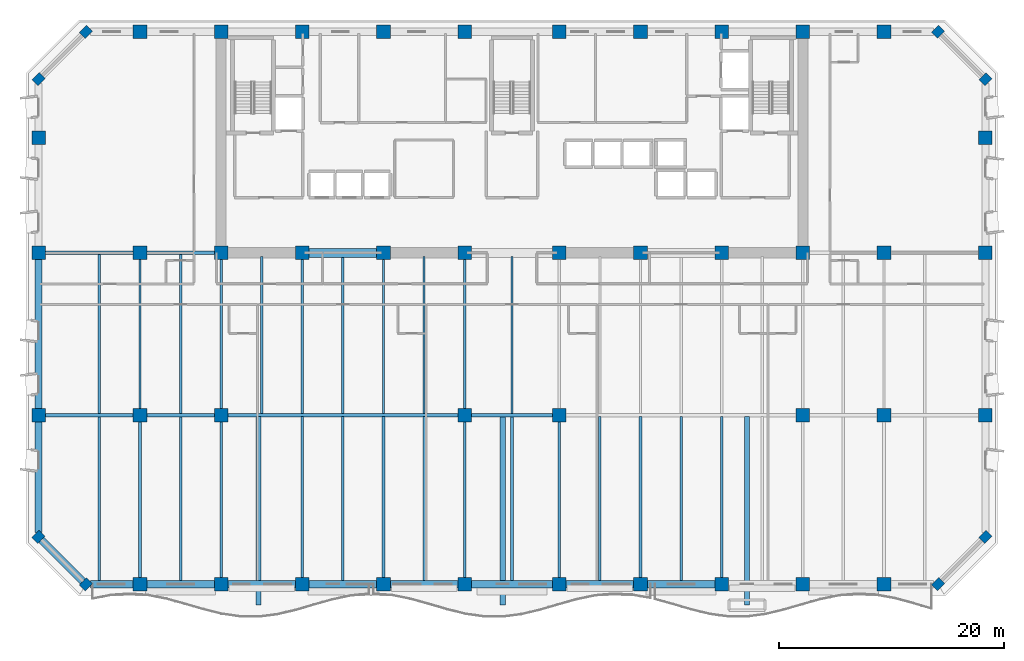
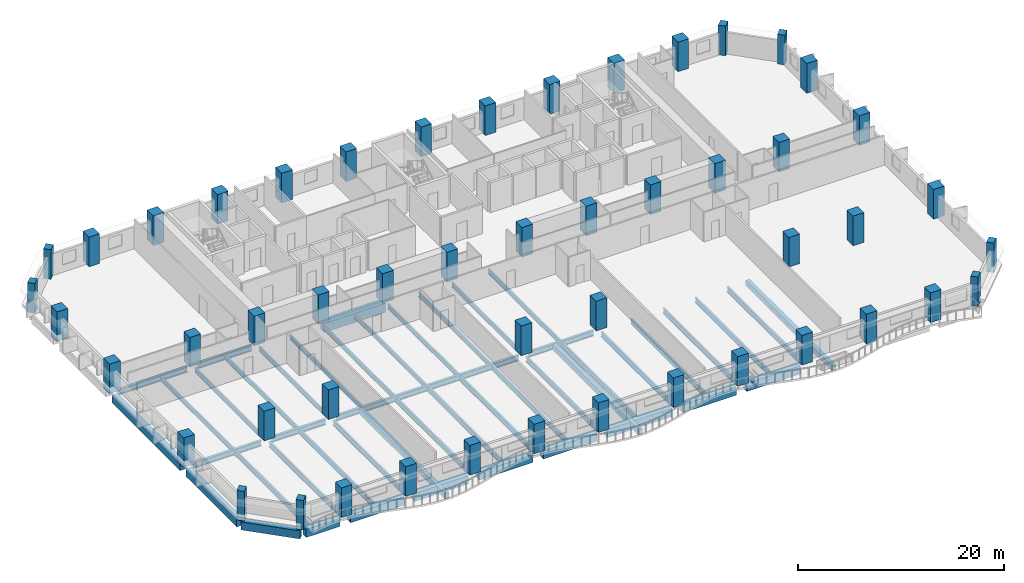
# One storey, part 1 of 14: 50 columns, 47 beams.
"""IFC4 building model written with IfcOpenShell, lengths in metres."""

from ifc_helpers import new_model, si_unit, direction, frame, origin, origin_2d, place, context, subcontext, project, spatial, rectangle, i_section, extrude, material, material_profile, profile_set, type_object, element, save


model = new_model("IFC4")

# Units and contexts
model_context = context("Model", 3, precision=1e-05, world=origin(), true_north=direction((0.0, 1.0)))
body_context = subcontext(model_context, "Body", "Model", "MODEL_VIEW")
ifc_project = project(units=[si_unit("LENGTHUNIT", "METRE"), si_unit("AREAUNIT", "SQUARE_METRE"), si_unit("VOLUMEUNIT", "CUBIC_METRE"), si_unit("PLANEANGLEUNIT", "RADIAN"), si_unit("MASSUNIT", "GRAM", prefix="KILO")], contexts=[model_context])

# Site, building, storey
site_placement = place(None, origin())
site = spatial("IfcSite", under=ifc_project, at=site_placement, CompositionType="ELEMENT")
building_placement = place(site_placement, origin())
building = spatial("IfcBuilding", under=site, at=building_placement, Name="Kaelvorn Grand Hotel", CompositionType="ELEMENT")
storey_placement = place(building_placement, frame((0.0, 0.0, 126.800048828125)))
storey = spatial("IfcBuildingStorey", under=building, at=storey_placement, Name="L30", CompositionType="ELEMENT", Elevation=126.800048828125)

# Columns
ifc_material_1 = material(Name="Concrete C60/75", Category="concrete")
ifc_material_profile_1 = material_profile(ifc_material_1, rectangle(XDim=0.89990234375, YDim=0.75, at=origin_2d()), Name="RC PILASTER 900x750")
ifc_profile_set_1 = profile_set([ifc_material_profile_1], Name="Concrete C60/75")
column_type_1 = type_object("IfcColumnType", Name="COL-PIL-900x750-C60", PredefinedType="PILASTER", material=ifc_profile_set_1)
for number, where, z_axis, x_axis, name in (
    (1, (4.199951171875, 0.0, 0.0), (0.0, 0.0, 1.0), (0.707106781187, 0.707106781187, 0.0), "L30 Structural Column CH-01"),
    (2, (79.800048828125, 0.0, 0.0), (0.0, 0.0, 1.0), (0.707106781187, 0.707106781187, 0.0), "L30 Structural Column CH-02"),
    (3, (84.0, 4.199951171875, 0.0), (0.0, 0.0, 1.0), (0.707106781187, 0.707106781187, 0.0), "L30 Structural Column CH-03"),
    (4, (84.0, 44.800048828125, 0.0), (0.0, 0.0, 1.0), (0.707106781187, 0.707106781187, 0.0), "L30 Structural Column CH-04"),
    (5, (79.800048828125, 49.0, 0.0), (0.0, 0.0, 1.0), (0.707106781187, 0.707106781187, 0.0), "L30 Structural Column CH-05"),
    (6, (4.199951171875, 49.0, 0.0), (0.0, 0.0, 1.0), (0.707106781187, 0.707106781187, 0.0), "L30 Structural Column CH-06"),
    (7, (0.0, 44.800048828125, 0.0), (0.0, 0.0, 1.0), (0.707106781187, 0.707106781187, 0.0), "L30 Structural Column CH-07"),
    (8, (0.0, 4.199951171875, 0.0), (0.0, 0.0, 1.0), (0.707106781187, 0.707106781187, 0.0), "L30 Structural Column CH-08"),
):
    element("IfcColumn", number, at=place(storey_placement, frame(where, z_axis=z_axis, x_axis=x_axis)), inside=storey, type_object=column_type_1, Name=name, PredefinedType="PILASTER", context=body_context, shape_type="SweptSolid", body=[
        extrude(rectangle(XDim=0.89990234375, YDim=0.75, at=origin_2d()), origin(), (0.0, 0.0, 1.0), 3.510009765625),
    ])
ifc_material_profile_2 = material_profile(ifc_material_1, rectangle(XDim=1.199951171875, YDim=1.199951171875, at=origin_2d()), Name="RC COL 1200x1200")
ifc_profile_set_2 = profile_set([ifc_material_profile_2], Name="Concrete C60/75")
column_type_2 = type_object("IfcColumnType", Name="COL-RC-1200-C60", PredefinedType="COLUMN", material=ifc_profile_set_2)
for number, where, z_axis, x_axis, name in (
    (9, (9.0, 0.0, 0.0), (0.0, 0.0, 1.0), (1.0, 0.0, 0.0), "L30 Structural Column S-01"),
    (10, (16.199951171875, 0.0, 0.0), (0.0, 0.0, 1.0), (1.0, 0.0, 0.0), "L30 Structural Column S-02"),
    (11, (23.39990234375, 0.0, 0.0), (0.0, 0.0, 1.0), (1.0, 0.0, 0.0), "L30 Structural Column S-03"),
    (12, (30.60009765625, 0.0, 0.0), (0.0, 0.0, 1.0), (1.0, 0.0, 0.0), "L30 Structural Column S-04"),
    (13, (37.800048828125, 0.0, 0.0), (0.0, 0.0, 1.0), (1.0, 0.0, 0.0), "L30 Structural Column S-05"),
    (14, (46.199951171875, 0.0, 0.0), (0.0, 0.0, 1.0), (1.0, 0.0, 0.0), "L30 Structural Column S-06"),
    (15, (53.39990234375, 0.0, 0.0), (0.0, 0.0, 1.0), (1.0, 0.0, 0.0), "L30 Structural Column S-07"),
    (16, (60.60009765625, 0.0, 0.0), (0.0, 0.0, 1.0), (1.0, 0.0, 0.0), "L30 Structural Column S-08"),
    (17, (67.800048828125, 0.0, 0.0), (0.0, 0.0, 1.0), (1.0, 0.0, 0.0), "L30 Structural Column S-09"),
    (18, (75.0, 0.0, 0.0), (0.0, 0.0, 1.0), (1.0, 0.0, 0.0), "L30 Structural Column S-10"),
    (19, (0.0, 15.0, 0.0), (0.0, 0.0, 1.0), (1.0, 0.0, 0.0), "L30 Structural Column W-01"),
    (20, (84.0, 15.0, 0.0), (0.0, 0.0, 1.0), (1.0, 0.0, 0.0), "L30 Structural Column E-01"),
    (21, (0.0, 29.39990234375, 0.0), (0.0, 0.0, 1.0), (1.0, 0.0, 0.0), "L30 Structural Column W-02"),
    (22, (84.0, 29.39990234375, 0.0), (0.0, 0.0, 1.0), (1.0, 0.0, 0.0), "L30 Structural Column E-02"),
    (23, (0.0, 39.60009765625, 0.0), (0.0, 0.0, 1.0), (1.0, 0.0, 0.0), "L30 Structural Column W-03"),
    (24, (84.0, 39.60009765625, 0.0), (0.0, 0.0, 1.0), (1.0, 0.0, 0.0), "L30 Structural Column E-03"),
    (25, (9.0, 15.0, 0.0), (0.0, 0.0, 1.0), (1.0, 0.0, 0.0), "L30 Structural Column M-01"),
    (26, (16.199951171875, 15.0, 0.0), (0.0, 0.0, 1.0), (1.0, 0.0, 0.0), "L30 Structural Column M-02"),
    (27, (37.800048828125, 15.0, 0.0), (0.0, 0.0, 1.0), (1.0, 0.0, 0.0), "L30 Structural Column M-03"),
    (28, (46.199951171875, 15.0, 0.0), (0.0, 0.0, 1.0), (1.0, 0.0, 0.0), "L30 Structural Column M-04"),
    (29, (67.800048828125, 15.0, 0.0), (0.0, 0.0, 1.0), (1.0, 0.0, 0.0), "L30 Structural Column M-05"),
    (30, (75.0, 15.0, 0.0), (0.0, 0.0, 1.0), (1.0, 0.0, 0.0), "L30 Structural Column M-06"),
    (31, (9.0, 29.39990234375, 0.0), (0.0, 0.0, 1.0), (1.0, 0.0, 0.0), "L30 Structural Column CR1-01"),
    (32, (9.0, 49.0, 0.0), (0.0, 0.0, 1.0), (1.0, 0.0, 0.0), "L30 Structural Column CR2-01"),
    (33, (16.199951171875, 29.39990234375, 0.0), (0.0, 0.0, 1.0), (1.0, 0.0, 0.0), "L30 Structural Column CR1-02"),
    (34, (16.199951171875, 49.0, 0.0), (0.0, 0.0, 1.0), (1.0, 0.0, 0.0), "L30 Structural Column CR2-02"),
    (35, (23.39990234375, 29.39990234375, 0.0), (0.0, 0.0, 1.0), (1.0, 0.0, 0.0), "L30 Structural Column CR1-03"),
    (36, (23.39990234375, 49.0, 0.0), (0.0, 0.0, 1.0), (1.0, 0.0, 0.0), "L30 Structural Column CR2-03"),
    (37, (30.60009765625, 29.39990234375, 0.0), (0.0, 0.0, 1.0), (1.0, 0.0, 0.0), "L30 Structural Column CR1-04"),
    (38, (30.60009765625, 49.0, 0.0), (0.0, 0.0, 1.0), (1.0, 0.0, 0.0), "L30 Structural Column CR2-04"),
    (39, (37.800048828125, 29.39990234375, 0.0), (0.0, 0.0, 1.0), (1.0, 0.0, 0.0), "L30 Structural Column CR1-05"),
    (40, (37.800048828125, 49.0, 0.0), (0.0, 0.0, 1.0), (1.0, 0.0, 0.0), "L30 Structural Column CR2-05"),
    (41, (46.199951171875, 29.39990234375, 0.0), (0.0, 0.0, 1.0), (1.0, 0.0, 0.0), "L30 Structural Column CR1-06"),
    (42, (46.199951171875, 49.0, 0.0), (0.0, 0.0, 1.0), (1.0, 0.0, 0.0), "L30 Structural Column CR2-06"),
    (43, (53.39990234375, 29.39990234375, 0.0), (0.0, 0.0, 1.0), (1.0, 0.0, 0.0), "L30 Structural Column CR1-07"),
    (44, (53.39990234375, 49.0, 0.0), (0.0, 0.0, 1.0), (1.0, 0.0, 0.0), "L30 Structural Column CR2-07"),
    (45, (60.60009765625, 29.39990234375, 0.0), (0.0, 0.0, 1.0), (1.0, 0.0, 0.0), "L30 Structural Column CR1-08"),
    (46, (60.60009765625, 49.0, 0.0), (0.0, 0.0, 1.0), (1.0, 0.0, 0.0), "L30 Structural Column CR2-08"),
    (47, (67.800048828125, 29.39990234375, 0.0), (0.0, 0.0, 1.0), (1.0, 0.0, 0.0), "L30 Structural Column CR1-09"),
    (48, (67.800048828125, 49.0, 0.0), (0.0, 0.0, 1.0), (1.0, 0.0, 0.0), "L30 Structural Column CR2-09"),
    (49, (75.0, 29.39990234375, 0.0), (0.0, 0.0, 1.0), (1.0, 0.0, 0.0), "L30 Structural Column CR1-10"),
    (50, (75.0, 49.0, 0.0), (0.0, 0.0, 1.0), (1.0, 0.0, 0.0), "L30 Structural Column CR2-10"),
):
    element("IfcColumn", number, at=place(storey_placement, frame(where, z_axis=z_axis, x_axis=x_axis)), inside=storey, type_object=column_type_2, Name=name, PredefinedType="COLUMN", context=body_context, shape_type="SweptSolid", body=[
        extrude(rectangle(XDim=1.199951171875, YDim=1.199951171875, at=origin_2d()), origin(), (0.0, 0.0, 1.0), 3.510009765625),
    ])

# Beams
ifc_material_2 = material(Name="Steel S355", Category="steel")
ifc_material_profile_3 = material_profile(ifc_material_2, i_section(OverallWidth=0.300048828125, OverallDepth=0.64990234375, WebThickness=0.01611328125, FlangeThickness=0.031005859375, FilletRadius=0.027099609375, at=origin_2d()), Name="HEB 650")
ifc_profile_set_3 = profile_set([ifc_material_profile_3], Name="Steel S355")
beam_type_1 = type_object("IfcBeamType", Name="BM-G-HEB650-S355", PredefinedType="BEAM", material=ifc_profile_set_3)
beam_1_placement = place(storey_placement, frame((0.5849609375, 15.0, -0.56494140625), z_axis=(1.0, 0.0, 0.0), x_axis=(0.0, 1.0, 0.0)))
element("IfcBeam", 51, at=beam_1_placement, inside=storey, type_object=beam_type_1, Name="L30 Primary Spine Steel Girder G-15 01", PredefinedType="BEAM", context=body_context, shape_type="SweptSolid", body=[
    extrude(i_section(OverallWidth=0.300048828125, OverallDepth=0.64990234375, WebThickness=0.01611328125, FlangeThickness=0.031005859375, FilletRadius=0.027099609375, at=origin_2d()), origin(), (0.0, 0.0, 1.0), 7.830078125),
])
beam_2_placement = place(storey_placement, frame((9.5849609375, 15.0, -0.56494140625), z_axis=(1.0, 0.0, 0.0), x_axis=(0.0, 1.0, 0.0)))
element("IfcBeam", 52, at=beam_2_placement, inside=storey, type_object=beam_type_1, Name="L30 Primary Spine Steel Girder G-15 02", PredefinedType="BEAM", context=body_context, shape_type="SweptSolid", body=[
    extrude(i_section(OverallWidth=0.300048828125, OverallDepth=0.64990234375, WebThickness=0.01611328125, FlangeThickness=0.031005859375, FilletRadius=0.027099609375, at=origin_2d()), origin(), (0.0, 0.0, 1.0), 6.030029296875),
])
beam_3_placement = place(storey_placement, frame((16.784912109375, 15.0, -0.56494140625), z_axis=(1.0, 0.0, 0.0), x_axis=(0.0, 1.0, 0.0)))
element("IfcBeam", 53, at=beam_3_placement, inside=storey, type_object=beam_type_1, Name="L30 Primary Spine Steel Girder G-15 03", PredefinedType="BEAM", context=body_context, shape_type="SweptSolid", body=[
    extrude(i_section(OverallWidth=0.300048828125, OverallDepth=0.64990234375, WebThickness=0.01611328125, FlangeThickness=0.031005859375, FilletRadius=0.027099609375, at=origin_2d()), origin(), (0.0, 0.0, 1.0), 20.43017578125),
])
beam_4_placement = place(storey_placement, frame((38.385009765625, 15.0, -0.56494140625), z_axis=(1.0, 0.0, 0.0), x_axis=(0.0, 1.0, 0.0)))
element("IfcBeam", 54, at=beam_4_placement, inside=storey, type_object=beam_type_1, Name="L30 Primary Spine Steel Girder G-15 04", PredefinedType="BEAM", context=body_context, shape_type="SweptSolid", body=[
    extrude(i_section(OverallWidth=0.300048828125, OverallDepth=0.64990234375, WebThickness=0.01611328125, FlangeThickness=0.031005859375, FilletRadius=0.027099609375, at=origin_2d()), origin(), (0.0, 0.0, 1.0), 7.22998046875),
])
beam_5_placement = place(storey_placement, frame((0.5849609375, 29.39990234375, -0.56494140625), z_axis=(1.0, 0.0, 0.0), x_axis=(0.0, 1.0, 0.0)))
element("IfcBeam", 55, at=beam_5_placement, inside=storey, type_object=beam_type_1, Name="L30 West Core Wing Steel Girder G-29W 01", PredefinedType="BEAM", context=body_context, shape_type="SweptSolid", body=[
    extrude(i_section(OverallWidth=0.300048828125, OverallDepth=0.64990234375, WebThickness=0.01611328125, FlangeThickness=0.031005859375, FilletRadius=0.027099609375, at=origin_2d()), origin(), (0.0, 0.0, 1.0), 7.830078125),
])
beam_6_placement = place(storey_placement, frame((9.5849609375, 29.39990234375, -0.56494140625), z_axis=(1.0, 0.0, 0.0), x_axis=(0.0, 1.0, 0.0)))
element("IfcBeam", 56, at=beam_6_placement, inside=storey, type_object=beam_type_1, Name="L30 West Core Wing Steel Girder G-29W 02", PredefinedType="BEAM", context=body_context, shape_type="SweptSolid", body=[
    extrude(i_section(OverallWidth=0.300048828125, OverallDepth=0.64990234375, WebThickness=0.01611328125, FlangeThickness=0.031005859375, FilletRadius=0.027099609375, at=origin_2d()), origin(), (0.0, 0.0, 1.0), 6.030029296875),
])
ifc_material_profile_4 = material_profile(ifc_material_2, i_section(OverallWidth=0.209228515625, OverallDepth=0.533203125, WebThickness=0.010009765625, FlangeThickness=0.015625, FilletRadius=0.0126953125, at=origin_2d()), Name="UB 533x210x92")
ifc_profile_set_4 = profile_set([ifc_material_profile_4], Name="Steel S355")
beam_type_2 = type_object("IfcBeamType", Name="BM-J-UB533-S355", PredefinedType="JOIST", material=ifc_profile_set_4)
beam_7_placement = place(storey_placement, frame((5.39990234375, 15.135009765625, -0.506591796875), z_axis=(0.0, 1.0, 0.0), x_axis=(-1.0, 0.0, 0.0)))
element("IfcBeam", 57, at=beam_7_placement, inside=storey, type_object=beam_type_2, Name="L30 Composite Floor Joist JM-02", PredefinedType="JOIST", context=body_context, shape_type="SweptSolid", body=[
    extrude(i_section(OverallWidth=0.209228515625, OverallDepth=0.533203125, WebThickness=0.010009765625, FlangeThickness=0.015625, FilletRadius=0.0126953125, at=origin_2d()), origin(), (0.0, 0.0, 1.0), 14.1298828125),
])
beam_8_placement = place(storey_placement, frame((9.0, 15.5849609375, -0.506591796875), z_axis=(0.0, 1.0, 0.0), x_axis=(-1.0, 0.0, 0.0)))
element("IfcBeam", 58, at=beam_8_placement, inside=storey, type_object=beam_type_2, Name="L30 Composite Floor Joist JM-03", PredefinedType="JOIST", context=body_context, shape_type="SweptSolid", body=[
    extrude(i_section(OverallWidth=0.209228515625, OverallDepth=0.533203125, WebThickness=0.010009765625, FlangeThickness=0.015625, FilletRadius=0.0126953125, at=origin_2d()), origin(), (0.0, 0.0, 1.0), 13.22998046875),
])
beam_9_placement = place(storey_placement, frame((12.60009765625, 15.135009765625, -0.506591796875), z_axis=(0.0, 1.0, 0.0), x_axis=(-1.0, 0.0, 0.0)))
element("IfcBeam", 59, at=beam_9_placement, inside=storey, type_object=beam_type_2, Name="L30 Composite Floor Joist JM-04", PredefinedType="JOIST", context=body_context, shape_type="SweptSolid", body=[
    extrude(i_section(OverallWidth=0.209228515625, OverallDepth=0.533203125, WebThickness=0.010009765625, FlangeThickness=0.015625, FilletRadius=0.0126953125, at=origin_2d()), origin(), (0.0, 0.0, 1.0), 14.1298828125),
])
beam_10_placement = place(storey_placement, frame((16.199951171875, 15.5849609375, -0.506591796875), z_axis=(0.0, 1.0, 0.0), x_axis=(-1.0, 0.0, 0.0)))
element("IfcBeam", 60, at=beam_10_placement, inside=storey, type_object=beam_type_2, Name="L30 Composite Floor Joist JM-05", PredefinedType="JOIST", context=body_context, shape_type="SweptSolid", body=[
    extrude(i_section(OverallWidth=0.209228515625, OverallDepth=0.533203125, WebThickness=0.010009765625, FlangeThickness=0.015625, FilletRadius=0.0126953125, at=origin_2d()), origin(), (0.0, 0.0, 1.0), 13.22998046875),
])
beam_11_placement = place(storey_placement, frame((19.800048828125, 15.135009765625, -0.506591796875), z_axis=(0.0, 1.0, 0.0), x_axis=(-1.0, 0.0, 0.0)))
element("IfcBeam", 61, at=beam_11_placement, inside=storey, type_object=beam_type_2, Name="L30 Composite Floor Joist JM-06", PredefinedType="JOIST", context=body_context, shape_type="SweptSolid", body=[
    extrude(i_section(OverallWidth=0.209228515625, OverallDepth=0.533203125, WebThickness=0.010009765625, FlangeThickness=0.015625, FilletRadius=0.0126953125, at=origin_2d()), origin(), (0.0, 0.0, 1.0), 13.925048828125),
])
beam_12_placement = place(storey_placement, frame((23.39990234375, 15.135009765625, -0.506591796875), z_axis=(0.0, 1.0, 0.0), x_axis=(-1.0, 0.0, 0.0)))
element("IfcBeam", 62, at=beam_12_placement, inside=storey, type_object=beam_type_2, Name="L30 Composite Floor Joist JM-07", PredefinedType="JOIST", context=body_context, shape_type="SweptSolid", body=[
    extrude(i_section(OverallWidth=0.209228515625, OverallDepth=0.533203125, WebThickness=0.010009765625, FlangeThickness=0.015625, FilletRadius=0.0126953125, at=origin_2d()), origin(), (0.0, 0.0, 1.0), 13.679931640625),
])
beam_13_placement = place(storey_placement, frame((27.0, 15.135009765625, -0.506591796875), z_axis=(0.0, 1.0, 0.0), x_axis=(-1.0, 0.0, 0.0)))
element("IfcBeam", 63, at=beam_13_placement, inside=storey, type_object=beam_type_2, Name="L30 Composite Floor Joist JM-08", PredefinedType="JOIST", context=body_context, shape_type="SweptSolid", body=[
    extrude(i_section(OverallWidth=0.209228515625, OverallDepth=0.533203125, WebThickness=0.010009765625, FlangeThickness=0.015625, FilletRadius=0.0126953125, at=origin_2d()), origin(), (0.0, 0.0, 1.0), 13.925048828125),
])
beam_14_placement = place(storey_placement, frame((30.60009765625, 15.135009765625, -0.506591796875), z_axis=(0.0, 1.0, 0.0), x_axis=(-1.0, 0.0, 0.0)))
element("IfcBeam", 64, at=beam_14_placement, inside=storey, type_object=beam_type_2, Name="L30 Composite Floor Joist JM-09", PredefinedType="JOIST", context=body_context, shape_type="SweptSolid", body=[
    extrude(i_section(OverallWidth=0.209228515625, OverallDepth=0.533203125, WebThickness=0.010009765625, FlangeThickness=0.015625, FilletRadius=0.0126953125, at=origin_2d()), origin(), (0.0, 0.0, 1.0), 13.679931640625),
])
beam_15_placement = place(storey_placement, frame((34.199951171875, 15.135009765625, -0.506591796875), z_axis=(0.0, 1.0, 0.0), x_axis=(-1.0, 0.0, 0.0)))
element("IfcBeam", 65, at=beam_15_placement, inside=storey, type_object=beam_type_2, Name="L30 Composite Floor Joist JM-10", PredefinedType="JOIST", context=body_context, shape_type="SweptSolid", body=[
    extrude(i_section(OverallWidth=0.209228515625, OverallDepth=0.533203125, WebThickness=0.010009765625, FlangeThickness=0.015625, FilletRadius=0.0126953125, at=origin_2d()), origin(), (0.0, 0.0, 1.0), 13.925048828125),
])
beam_16_placement = place(storey_placement, frame((37.800048828125, 15.5849609375, -0.506591796875), z_axis=(0.0, 1.0, 0.0), x_axis=(-1.0, 0.0, 0.0)))
element("IfcBeam", 66, at=beam_16_placement, inside=storey, type_object=beam_type_2, Name="L30 Composite Floor Joist JM-11", PredefinedType="JOIST", context=body_context, shape_type="SweptSolid", body=[
    extrude(i_section(OverallWidth=0.209228515625, OverallDepth=0.533203125, WebThickness=0.010009765625, FlangeThickness=0.015625, FilletRadius=0.0126953125, at=origin_2d()), origin(), (0.0, 0.0, 1.0), 13.22998046875),
])
beam_17_placement = place(storey_placement, frame((42.0, 15.135009765625, -0.506591796875), z_axis=(0.0, 1.0, 0.0), x_axis=(-1.0, 0.0, 0.0)))
element("IfcBeam", 67, at=beam_17_placement, inside=storey, type_object=beam_type_2, Name="L30 Composite Floor Joist JM-12", PredefinedType="JOIST", context=body_context, shape_type="SweptSolid", body=[
    extrude(i_section(OverallWidth=0.209228515625, OverallDepth=0.533203125, WebThickness=0.010009765625, FlangeThickness=0.015625, FilletRadius=0.0126953125, at=origin_2d()), origin(), (0.0, 0.0, 1.0), 13.925048828125),
])
ifc_material_profile_5 = material_profile(ifc_material_2, i_section(OverallWidth=0.22900390625, OverallDepth=0.6123046875, WebThickness=0.011962890625, FlangeThickness=0.01953125, FilletRadius=0.0126953125, at=origin_2d()), Name="UB 610x229x125")
ifc_profile_set_5 = profile_set([ifc_material_profile_5], Name="Steel S355")
beam_type_3 = type_object("IfcBeamType", Name="BM-J-UB610-S355", PredefinedType="JOIST", material=ifc_profile_set_5)
beam_18_placement = place(storey_placement, frame((5.39990234375, 0.31005859375, -0.546142578125), z_axis=(0.0, 1.0, 0.0), x_axis=(-1.0, 0.0, 0.0)))
element("IfcBeam", 68, at=beam_18_placement, inside=storey, type_object=beam_type_3, Name="L30 Composite Floor Joist JS-02", PredefinedType="JOIST", context=body_context, shape_type="SweptSolid", body=[
    extrude(i_section(OverallWidth=0.22900390625, OverallDepth=0.6123046875, WebThickness=0.011962890625, FlangeThickness=0.01953125, FilletRadius=0.0126953125, at=origin_2d()), origin(), (0.0, 0.0, 1.0), 14.554931640625),
])
beam_19_placement = place(storey_placement, frame((9.0, 0.5849609375, -0.546142578125), z_axis=(0.0, 1.0, 0.0), x_axis=(-1.0, 0.0, 0.0)))
element("IfcBeam", 69, at=beam_19_placement, inside=storey, type_object=beam_type_3, Name="L30 Composite Floor Joist JS-03", PredefinedType="JOIST", context=body_context, shape_type="SweptSolid", body=[
    extrude(i_section(OverallWidth=0.22900390625, OverallDepth=0.6123046875, WebThickness=0.011962890625, FlangeThickness=0.01953125, FilletRadius=0.0126953125, at=origin_2d()), origin(), (0.0, 0.0, 1.0), 13.830078125),
])
beam_20_placement = place(storey_placement, frame((12.60009765625, 0.31005859375, -0.546142578125), z_axis=(0.0, 1.0, 0.0), x_axis=(-1.0, 0.0, 0.0)))
element("IfcBeam", 70, at=beam_20_placement, inside=storey, type_object=beam_type_3, Name="L30 Composite Floor Joist JS-04", PredefinedType="JOIST", context=body_context, shape_type="SweptSolid", body=[
    extrude(i_section(OverallWidth=0.22900390625, OverallDepth=0.6123046875, WebThickness=0.011962890625, FlangeThickness=0.01953125, FilletRadius=0.0126953125, at=origin_2d()), origin(), (0.0, 0.0, 1.0), 14.554931640625),
])
beam_21_placement = place(storey_placement, frame((16.199951171875, 0.5849609375, -0.546142578125), z_axis=(0.0, 1.0, 0.0), x_axis=(-1.0, 0.0, 0.0)))
element("IfcBeam", 71, at=beam_21_placement, inside=storey, type_object=beam_type_3, Name="L30 Composite Floor Joist JS-05", PredefinedType="JOIST", context=body_context, shape_type="SweptSolid", body=[
    extrude(i_section(OverallWidth=0.22900390625, OverallDepth=0.6123046875, WebThickness=0.011962890625, FlangeThickness=0.01953125, FilletRadius=0.0126953125, at=origin_2d()), origin(), (0.0, 0.0, 1.0), 13.830078125),
])
beam_22_placement = place(storey_placement, frame((23.39990234375, 0.5849609375, -0.546142578125), z_axis=(0.0, 1.0, 0.0), x_axis=(-1.0, 0.0, 0.0)))
element("IfcBeam", 72, at=beam_22_placement, inside=storey, type_object=beam_type_3, Name="L30 Composite Floor Joist JS-07", PredefinedType="JOIST", context=body_context, shape_type="SweptSolid", body=[
    extrude(i_section(OverallWidth=0.22900390625, OverallDepth=0.6123046875, WebThickness=0.011962890625, FlangeThickness=0.01953125, FilletRadius=0.0126953125, at=origin_2d()), origin(), (0.0, 0.0, 1.0), 14.280029296875),
])
beam_23_placement = place(storey_placement, frame((27.0, 0.31005859375, -0.546142578125), z_axis=(0.0, 1.0, 0.0), x_axis=(-1.0, 0.0, 0.0)))
element("IfcBeam", 73, at=beam_23_placement, inside=storey, type_object=beam_type_3, Name="L30 Composite Floor Joist JS-08", PredefinedType="JOIST", context=body_context, shape_type="SweptSolid", body=[
    extrude(i_section(OverallWidth=0.22900390625, OverallDepth=0.6123046875, WebThickness=0.011962890625, FlangeThickness=0.01953125, FilletRadius=0.0126953125, at=origin_2d()), origin(), (0.0, 0.0, 1.0), 14.554931640625),
])
beam_24_placement = place(storey_placement, frame((30.60009765625, 0.5849609375, -0.546142578125), z_axis=(0.0, 1.0, 0.0), x_axis=(-1.0, 0.0, 0.0)))
element("IfcBeam", 74, at=beam_24_placement, inside=storey, type_object=beam_type_3, Name="L30 Composite Floor Joist JS-09", PredefinedType="JOIST", context=body_context, shape_type="SweptSolid", body=[
    extrude(i_section(OverallWidth=0.22900390625, OverallDepth=0.6123046875, WebThickness=0.011962890625, FlangeThickness=0.01953125, FilletRadius=0.0126953125, at=origin_2d()), origin(), (0.0, 0.0, 1.0), 14.280029296875),
])
beam_25_placement = place(storey_placement, frame((34.199951171875, 0.31005859375, -0.546142578125), z_axis=(0.0, 1.0, 0.0), x_axis=(-1.0, 0.0, 0.0)))
element("IfcBeam", 75, at=beam_25_placement, inside=storey, type_object=beam_type_3, Name="L30 Composite Floor Joist JS-10", PredefinedType="JOIST", context=body_context, shape_type="SweptSolid", body=[
    extrude(i_section(OverallWidth=0.22900390625, OverallDepth=0.6123046875, WebThickness=0.011962890625, FlangeThickness=0.01953125, FilletRadius=0.0126953125, at=origin_2d()), origin(), (0.0, 0.0, 1.0), 14.554931640625),
])
beam_26_placement = place(storey_placement, frame((37.800048828125, 0.5849609375, -0.546142578125), z_axis=(0.0, 1.0, 0.0), x_axis=(-1.0, 0.0, 0.0)))
element("IfcBeam", 76, at=beam_26_placement, inside=storey, type_object=beam_type_3, Name="L30 Composite Floor Joist JS-11", PredefinedType="JOIST", context=body_context, shape_type="SweptSolid", body=[
    extrude(i_section(OverallWidth=0.22900390625, OverallDepth=0.6123046875, WebThickness=0.011962890625, FlangeThickness=0.01953125, FilletRadius=0.0126953125, at=origin_2d()), origin(), (0.0, 0.0, 1.0), 13.830078125),
])
beam_27_placement = place(storey_placement, frame((42.0, 0.31005859375, -0.546142578125), z_axis=(0.0, 1.0, 0.0), x_axis=(-1.0, 0.0, 0.0)))
element("IfcBeam", 77, at=beam_27_placement, inside=storey, type_object=beam_type_3, Name="L30 Composite Floor Joist JS-12", PredefinedType="JOIST", context=body_context, shape_type="SweptSolid", body=[
    extrude(i_section(OverallWidth=0.22900390625, OverallDepth=0.6123046875, WebThickness=0.011962890625, FlangeThickness=0.01953125, FilletRadius=0.0126953125, at=origin_2d()), origin(), (0.0, 0.0, 1.0), 14.554931640625),
])
beam_28_placement = place(storey_placement, frame((46.199951171875, 0.5849609375, -0.546142578125), z_axis=(0.0, 1.0, 0.0), x_axis=(-1.0, 0.0, 0.0)))
element("IfcBeam", 78, at=beam_28_placement, inside=storey, type_object=beam_type_3, Name="L30 Composite Floor Joist JS-13", PredefinedType="JOIST", context=body_context, shape_type="SweptSolid", body=[
    extrude(i_section(OverallWidth=0.22900390625, OverallDepth=0.6123046875, WebThickness=0.011962890625, FlangeThickness=0.01953125, FilletRadius=0.0126953125, at=origin_2d()), origin(), (0.0, 0.0, 1.0), 13.830078125),
])
beam_29_placement = place(storey_placement, frame((49.800048828125, 0.31005859375, -0.546142578125), z_axis=(0.0, 1.0, 0.0), x_axis=(-1.0, 0.0, 0.0)))
element("IfcBeam", 79, at=beam_29_placement, inside=storey, type_object=beam_type_3, Name="L30 Composite Floor Joist JS-14", PredefinedType="JOIST", context=body_context, shape_type="SweptSolid", body=[
    extrude(i_section(OverallWidth=0.22900390625, OverallDepth=0.6123046875, WebThickness=0.011962890625, FlangeThickness=0.01953125, FilletRadius=0.0126953125, at=origin_2d()), origin(), (0.0, 0.0, 1.0), 14.554931640625),
])
beam_30_placement = place(storey_placement, frame((53.39990234375, 0.5849609375, -0.546142578125), z_axis=(0.0, 1.0, 0.0), x_axis=(-1.0, 0.0, 0.0)))
element("IfcBeam", 80, at=beam_30_placement, inside=storey, type_object=beam_type_3, Name="L30 Composite Floor Joist JS-15", PredefinedType="JOIST", context=body_context, shape_type="SweptSolid", body=[
    extrude(i_section(OverallWidth=0.22900390625, OverallDepth=0.6123046875, WebThickness=0.011962890625, FlangeThickness=0.01953125, FilletRadius=0.0126953125, at=origin_2d()), origin(), (0.0, 0.0, 1.0), 14.280029296875),
])
beam_31_placement = place(storey_placement, frame((57.0, 0.31005859375, -0.546142578125), z_axis=(0.0, 1.0, 0.0), x_axis=(-1.0, 0.0, 0.0)))
element("IfcBeam", 81, at=beam_31_placement, inside=storey, type_object=beam_type_3, Name="L30 Composite Floor Joist JS-16", PredefinedType="JOIST", context=body_context, shape_type="SweptSolid", body=[
    extrude(i_section(OverallWidth=0.22900390625, OverallDepth=0.6123046875, WebThickness=0.011962890625, FlangeThickness=0.01953125, FilletRadius=0.0126953125, at=origin_2d()), origin(), (0.0, 0.0, 1.0), 14.554931640625),
])
beam_32_placement = place(storey_placement, frame((60.60009765625, 0.5849609375, -0.546142578125), z_axis=(0.0, 1.0, 0.0), x_axis=(-1.0, 0.0, 0.0)))
element("IfcBeam", 82, at=beam_32_placement, inside=storey, type_object=beam_type_3, Name="L30 Composite Floor Joist JS-17", PredefinedType="JOIST", context=body_context, shape_type="SweptSolid", body=[
    extrude(i_section(OverallWidth=0.22900390625, OverallDepth=0.6123046875, WebThickness=0.011962890625, FlangeThickness=0.01953125, FilletRadius=0.0126953125, at=origin_2d()), origin(), (0.0, 0.0, 1.0), 14.280029296875),
])
ifc_material_profile_6 = material_profile(ifc_material_1, rectangle(XDim=0.800048828125, YDim=1.10009765625, at=origin_2d()), Name="RC LINTEL 800x1100")
ifc_profile_set_6 = profile_set([ifc_material_profile_6], Name="Concrete C60/75")
beam_type_4 = type_object("IfcBeamType", Name="BM-LIN-800x1100-C60", PredefinedType="LINTEL", material=ifc_profile_set_6)
beam_33_placement = place(storey_placement, frame((23.580078125, 29.39990234375, -0.7900390625), z_axis=(1.0, 0.0, 0.0), x_axis=(0.0, 1.0, 0.0)))
element("IfcBeam", 83, at=beam_33_placement, inside=storey, type_object=beam_type_4, Name="L30 Rear-Core Coupling Lintel Beam CB1-01", PredefinedType="LINTEL", context=body_context, shape_type="SweptSolid", body=[
    extrude(rectangle(XDim=0.800048828125, YDim=1.10009765625, at=origin_2d()), origin(), (0.0, 0.0, 1.0), 6.83984375),
])
ifc_material_3 = material(Name="Concrete C40/50", Category="concrete")
ifc_material_profile_7 = material_profile(ifc_material_3, rectangle(XDim=0.449951171875, YDim=0.64990234375, at=origin_2d()), Name="RC RIB 450x650")
ifc_profile_set_7 = profile_set([ifc_material_profile_7], Name="Concrete C40/50")
beam_type_5 = type_object("IfcBeamType", Name="BM-RIB-450x650-C40", PredefinedType="SPANDREL", material=ifc_profile_set_7)
for number, where, z_axis, x_axis, name in (
    (84, (19.52001953125, -1.85009765625, -0.545166015625), (0.0, 1.0, 0.0), (-1.0, 0.0, 0.0), "L30 Cantilevered Balcony Back-Span Rib RB1-1"),
    (85, (41.18212890625, -1.85009765625, -0.545166015625), (0.0, 1.0, 0.0), (-1.0, 0.0, 0.0), "L30 Cantilevered Balcony Back-Span Rib RB1-2"),
    (86, (62.844482421875, -1.85009765625, -0.545166015625), (0.0, 1.0, 0.0), (-1.0, 0.0, 0.0), "L30 Cantilevered Balcony Back-Span Rib RB1-3"),
):
    element("IfcBeam", number, at=place(storey_placement, frame(where, z_axis=z_axis, x_axis=x_axis)), inside=storey, type_object=beam_type_5, Name=name, PredefinedType="SPANDREL", context=body_context, shape_type="SweptSolid", body=[
        extrude(rectangle(XDim=0.449951171875, YDim=0.64990234375, at=origin_2d()), origin(), (0.0, 0.0, 1.0), 16.715087890625),
    ])
ifc_material_profile_8 = material_profile(ifc_material_1, rectangle(XDim=0.64990234375, YDim=0.949951171875, at=origin_2d()), Name="RC SPANDREL 650x950")
ifc_profile_set_8 = profile_set([ifc_material_profile_8], Name="Concrete C60/75")
beam_type_6 = type_object("IfcBeamType", Name="BM-SP-650x950-C60", PredefinedType="SPANDREL", material=ifc_profile_set_8)
beam_34_placement = place(storey_placement, frame((4.60498046875, 0.0, -0.715087890625), z_axis=(1.0, 0.0, 0.0), x_axis=(0.0, 1.0, 0.0)))
element("IfcBeam", 87, at=beam_34_placement, inside=storey, type_object=beam_type_6, Name="L30 South Perimeter Spandrel 01", PredefinedType="SPANDREL", context=body_context, shape_type="SweptSolid", body=[
    extrude(rectangle(XDim=0.64990234375, YDim=0.949951171875, at=origin_2d()), origin(), (0.0, 0.0, 1.0), 3.81005859375),
])
for number, where, z_axis, x_axis, name in (
    (88, (9.5849609375, 0.0, -0.715087890625), (1.0, 0.0, 0.0), (0.0, 1.0, 0.0), "L30 South Perimeter Spandrel 02"),
    (89, (16.784912109375, 0.0, -0.715087890625), (1.0, 0.0, 0.0), (0.0, 1.0, 0.0), "L30 South Perimeter Spandrel 03"),
):
    element("IfcBeam", number, at=place(storey_placement, frame(where, z_axis=z_axis, x_axis=x_axis)), inside=storey, type_object=beam_type_6, Name=name, PredefinedType="SPANDREL", context=body_context, shape_type="SweptSolid", body=[
        extrude(rectangle(XDim=0.64990234375, YDim=0.949951171875, at=origin_2d()), origin(), (0.0, 0.0, 1.0), 6.030029296875),
    ])
beam_35_placement = place(storey_placement, frame((23.985107421875, 0.0, -0.715087890625), z_axis=(1.0, 0.0, 0.0), x_axis=(0.0, 1.0, 0.0)))
element("IfcBeam", 90, at=beam_35_placement, inside=storey, type_object=beam_type_6, Name="L30 South Perimeter Spandrel 04", PredefinedType="SPANDREL", context=body_context, shape_type="SweptSolid", body=[
    extrude(rectangle(XDim=0.64990234375, YDim=0.949951171875, at=origin_2d()), origin(), (0.0, 0.0, 1.0), 6.02978515625),
])
beam_36_placement = place(storey_placement, frame((31.18505859375, 0.0, -0.715087890625), z_axis=(1.0, 0.0, 0.0), x_axis=(0.0, 1.0, 0.0)))
element("IfcBeam", 91, at=beam_36_placement, inside=storey, type_object=beam_type_6, Name="L30 South Perimeter Spandrel 05", PredefinedType="SPANDREL", context=body_context, shape_type="SweptSolid", body=[
    extrude(rectangle(XDim=0.64990234375, YDim=0.949951171875, at=origin_2d()), origin(), (0.0, 0.0, 1.0), 6.030029296875),
])
beam_37_placement = place(storey_placement, frame((38.385009765625, 0.0, -0.715087890625), z_axis=(1.0, 0.0, 0.0), x_axis=(0.0, 1.0, 0.0)))
element("IfcBeam", 92, at=beam_37_placement, inside=storey, type_object=beam_type_6, Name="L30 South Perimeter Spandrel 06", PredefinedType="SPANDREL", context=body_context, shape_type="SweptSolid", body=[
    extrude(rectangle(XDim=0.64990234375, YDim=0.949951171875, at=origin_2d()), origin(), (0.0, 0.0, 1.0), 7.22998046875),
])
beam_38_placement = place(storey_placement, frame((46.784912109375, 0.0, -0.715087890625), z_axis=(1.0, 0.0, 0.0), x_axis=(0.0, 1.0, 0.0)))
element("IfcBeam", 93, at=beam_38_placement, inside=storey, type_object=beam_type_6, Name="L30 South Perimeter Spandrel 07", PredefinedType="SPANDREL", context=body_context, shape_type="SweptSolid", body=[
    extrude(rectangle(XDim=0.64990234375, YDim=0.949951171875, at=origin_2d()), origin(), (0.0, 0.0, 1.0), 6.030029296875),
])
beam_39_placement = place(storey_placement, frame((53.985107421875, 0.0, -0.715087890625), z_axis=(1.0, 0.0, 0.0), x_axis=(0.0, 1.0, 0.0)))
element("IfcBeam", 94, at=beam_39_placement, inside=storey, type_object=beam_type_6, Name="L30 South Perimeter Spandrel 08", PredefinedType="SPANDREL", context=body_context, shape_type="SweptSolid", body=[
    extrude(rectangle(XDim=0.64990234375, YDim=0.949951171875, at=origin_2d()), origin(), (0.0, 0.0, 1.0), 6.02978515625),
])
beam_40_placement = place(storey_placement, frame((0.0, 4.60498046875, -0.715087890625), z_axis=(0.0, 1.0, 0.0), x_axis=(-1.0, 0.0, 0.0)))
element("IfcBeam", 95, at=beam_40_placement, inside=storey, type_object=beam_type_6, Name="L30 West Perimeter Spandrel 01", PredefinedType="SPANDREL", context=body_context, shape_type="SweptSolid", body=[
    extrude(rectangle(XDim=0.64990234375, YDim=0.949951171875, at=origin_2d()), origin(), (0.0, 0.0, 1.0), 9.81005859375),
])
beam_41_placement = place(storey_placement, frame((0.0, 15.5849609375, -0.715087890625), z_axis=(0.0, 1.0, 0.0), x_axis=(-1.0, 0.0, 0.0)))
element("IfcBeam", 96, at=beam_41_placement, inside=storey, type_object=beam_type_6, Name="L30 West Perimeter Spandrel 02", PredefinedType="SPANDREL", context=body_context, shape_type="SweptSolid", body=[
    extrude(rectangle(XDim=0.64990234375, YDim=0.949951171875, at=origin_2d()), origin(), (0.0, 0.0, 1.0), 13.22998046875),
])
beam_42_placement = place(storey_placement, frame((0.0, 4.199951171875, -0.715087890625), z_axis=(0.707106781187, -0.707106781187, 0.0), x_axis=(0.707106781187, 0.707106781187, 0.0)))
element("IfcBeam", 97, at=beam_42_placement, inside=storey, type_object=beam_type_6, Name="L30 Chamfer Spandrel Beam 4", PredefinedType="SPANDREL", context=body_context, shape_type="SweptSolid", body=[
    extrude(rectangle(XDim=0.64990234375, YDim=0.949951171875, at=origin_2d()), origin(), (0.0, 0.0, 1.0), 5.939697265625),
])

save(model, "model.ifc")
